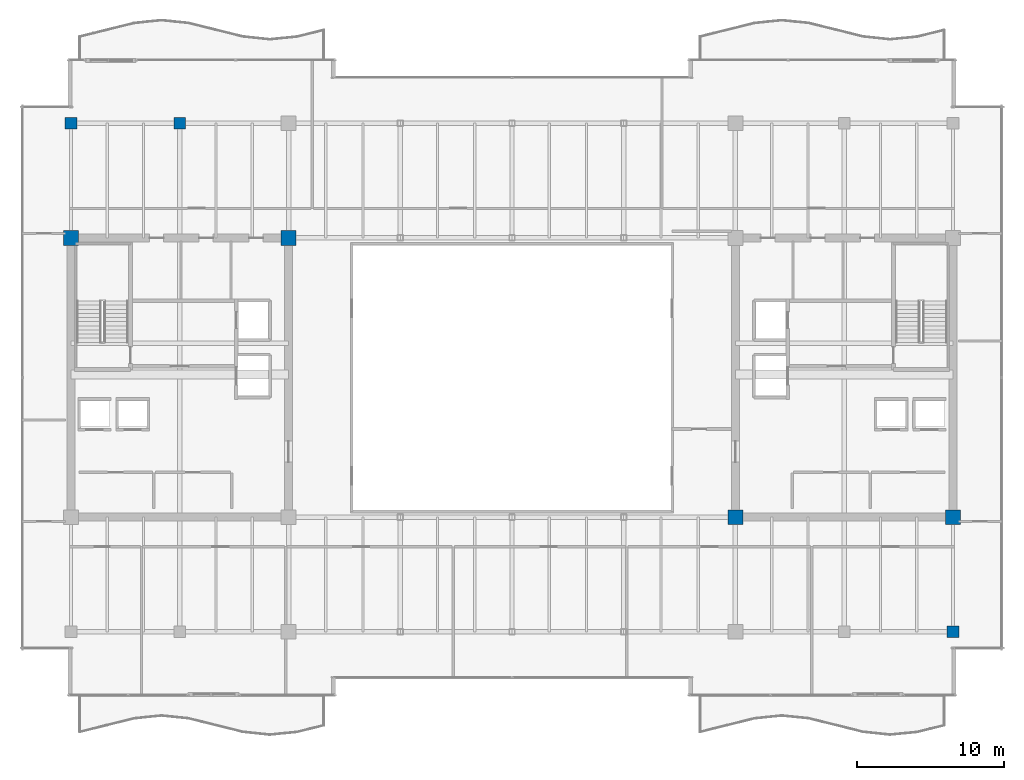
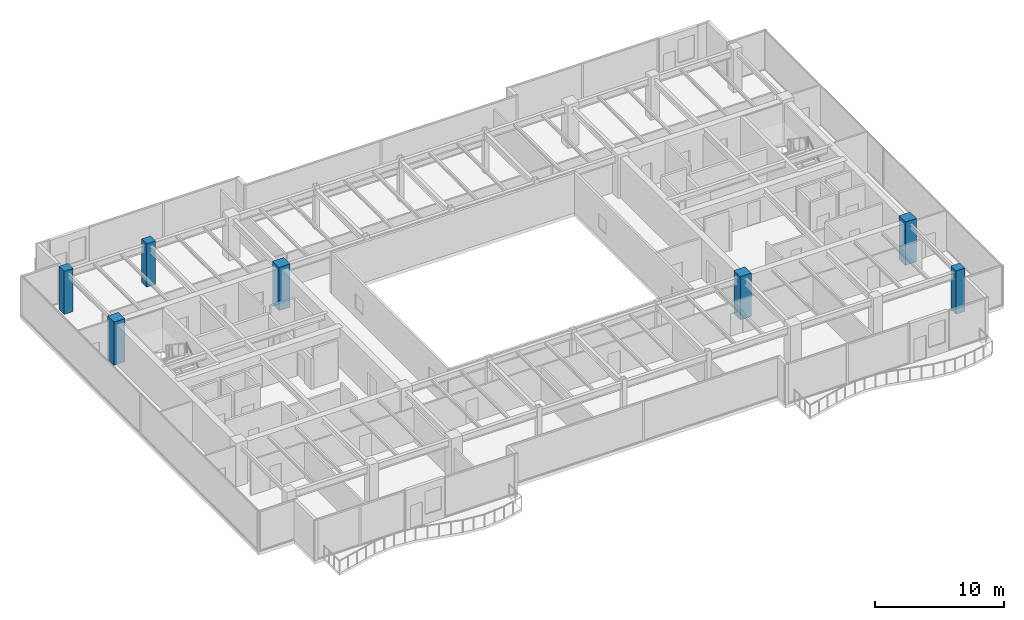
# One storey, part 2 of 34: 7 columns.
"""IFC4 building model written with IfcOpenShell, lengths in metres."""

from ifc_helpers import new_model, si_unit, direction, frame, origin, origin_2d, place, context, subcontext, project, spatial, rectangle, extrude, source, transform, mapped, material, material_profile, profile_set, type_object, type_shapes, element, save


model = new_model("IFC4")

# Units and contexts
model_context = context("Model", 3, precision=1e-05, world=origin(), true_north=direction((0.0, 1.0)))
body_context = subcontext(model_context, "Body", "Model", "MODEL_VIEW")
ifc_project = project(units=[si_unit("LENGTHUNIT", "METRE"), si_unit("AREAUNIT", "SQUARE_METRE"), si_unit("VOLUMEUNIT", "CUBIC_METRE"), si_unit("PLANEANGLEUNIT", "RADIAN"), si_unit("MASSUNIT", "GRAM", prefix="KILO")], contexts=[model_context])

# Site, building, storey
site_placement = place(None, origin())
site = spatial("IfcSite", under=ifc_project, at=site_placement, CompositionType="ELEMENT")
building_placement = place(site_placement, origin())
building = spatial("IfcBuilding", under=site, at=building_placement, Name="Haelvirn Gate Laboratories", CompositionType="ELEMENT")
storey_placement = place(building_placement, frame((0.0, 0.0, 205.5)))
storey = spatial("IfcBuildingStorey", under=building, at=storey_placement, Name="L49", CompositionType="ELEMENT", Elevation=205.5)

# Columns
ifc_material_1 = material(Name="Concrete C60/75", Category="concrete")
ifc_material_profile_1 = material_profile(ifc_material_1, rectangle(XDim=1.0, YDim=1.0, at=origin_2d()), Name="RC-1000x1000")
ifc_profile_set_1 = profile_set([ifc_material_profile_1], Name="Concrete C60/75")
column_type_1 = type_object("IfcColumnType", Name="COL-RC-1000", PredefinedType="COLUMN", material=ifc_profile_set_1)
shared_shape_1 = source(origin(), body_context, "Body", "SweptSolid", [
    extrude(rectangle(XDim=1.0, YDim=1.0, at=origin_2d()), origin(), (0.0, 0.0, 1.0), 4.10009765625),
])
type_shapes(column_type_1, [shared_shape_1])
for number, where, z_axis, x_axis, name in (
    (1, (7.39990234375, 33.800048828125, 0.0), (0.0, 0.0, 1.0), (1.0, 0.0, 0.0), "L49 Column 2F"),
    (2, (22.199951171875, 33.800048828125, 0.0), (0.0, 0.0, 1.0), (1.0, 0.0, 0.0), "L49 Column 4F"),
    (3, (52.60009765625, 14.800048828125, 0.0), (0.0, 0.0, 1.0), (1.0, 0.0, 0.0), "L49 Column 8C"),
    (4, (67.39990234375, 14.800048828125, 0.0), (0.0, 0.0, 1.0), (1.0, 0.0, 0.0), "L49 Column 10C"),
):
    element("IfcColumn", number, at=place(storey_placement, frame(where, z_axis=z_axis, x_axis=x_axis)), inside=storey, type_object=column_type_1, Name=name, PredefinedType="COLUMN", context=body_context, shape_type="MappedRepresentation", body=[
        mapped(shared_shape_1, transform((0.0, 0.0, 0.0), scale=1.0)),
    ])
ifc_material_2 = material(Name="Concrete C50/60", Category="concrete")
ifc_material_profile_2 = material_profile(ifc_material_2, rectangle(XDim=0.800048828125, YDim=0.800048828125, at=origin_2d()), Name="RC-800x800")
ifc_profile_set_2 = profile_set([ifc_material_profile_2], Name="Concrete C50/60")
column_type_2 = type_object("IfcColumnType", Name="COL-RC-800", PredefinedType="COLUMN", material=ifc_profile_set_2)
shared_shape_2 = source(origin(), body_context, "Body", "SweptSolid", [
    extrude(rectangle(XDim=0.800048828125, YDim=0.800048828125, at=origin_2d()), origin(), (0.0, 0.0, 1.0), 4.10009765625),
])
type_shapes(column_type_2, [shared_shape_2])
for number, where, z_axis, x_axis, name in (
    (5, (14.800048828125, 41.60009765625, 0.0), (0.0, 0.0, 1.0), (1.0, 0.0, 0.0), "L49 Column 3G"),
    (6, (7.39990234375, 41.60009765625, 0.0), (0.0, 0.0, 1.0), (1.0, 0.0, 0.0), "L49 Column 2G"),
    (7, (67.39990234375, 7.0, 0.0), (0.0, 0.0, 1.0), (1.0, 0.0, 0.0), "L49 Column 10B"),
):
    element("IfcColumn", number, at=place(storey_placement, frame(where, z_axis=z_axis, x_axis=x_axis)), inside=storey, type_object=column_type_2, Name=name, PredefinedType="COLUMN", context=body_context, shape_type="MappedRepresentation", body=[
        mapped(shared_shape_2, transform((0.0, 0.0, 0.0), scale=1.0)),
    ])

save(model, "model.ifc")
